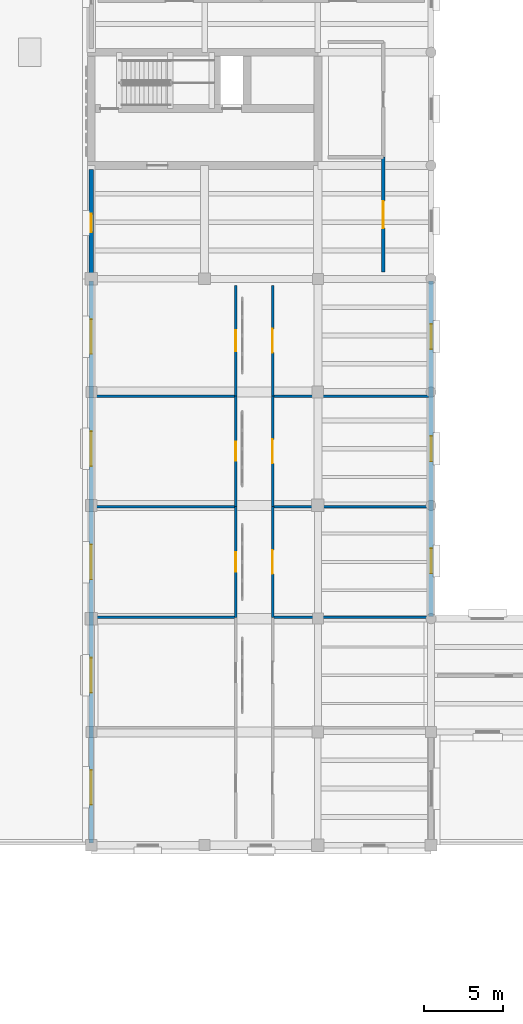
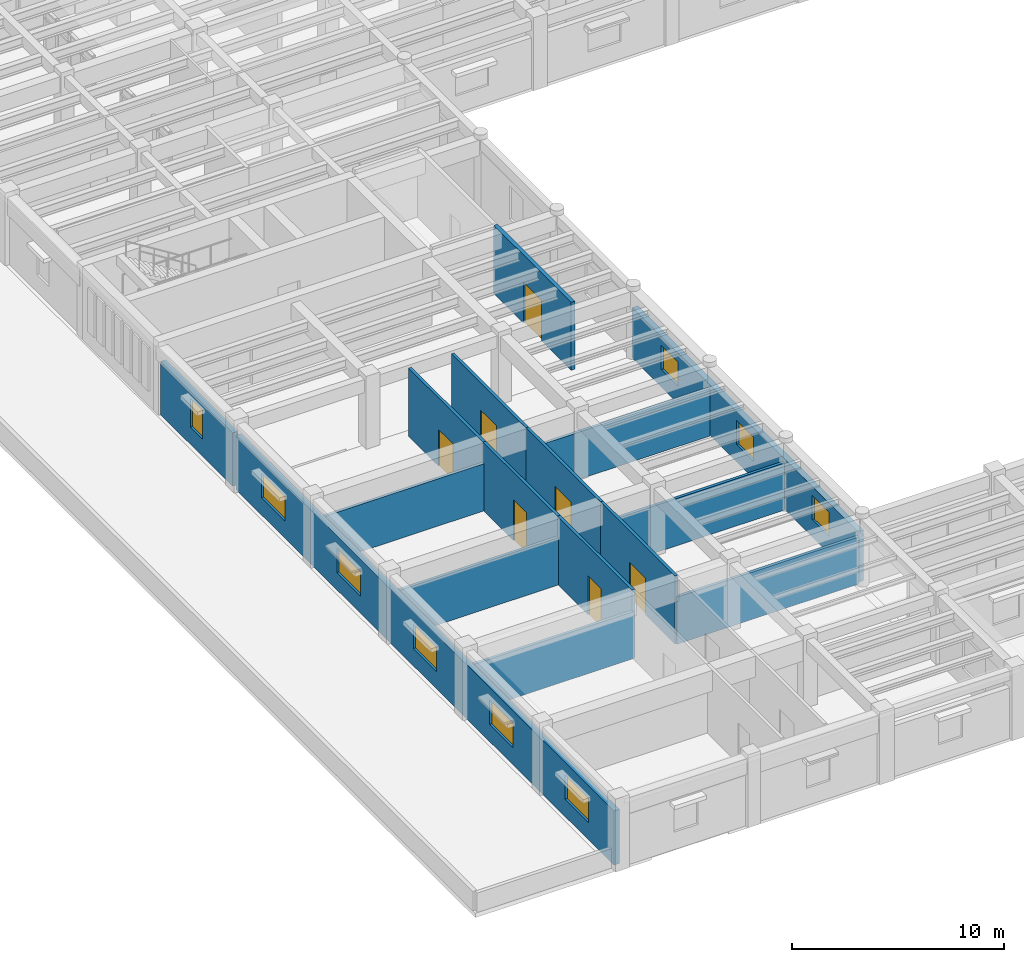
# One storey, part 49 of 76: 16 walls, 9 windows, 7 doors, 16 openings.
"""IFC4 building model written with IfcOpenShell, lengths in metres."""

from ifc_helpers import new_model, si_unit, direction, frame, frame_2d, origin, place, context, subcontext, project, spatial, rectangle, extrude, material, layer, layer_set, type_object, element, fill, save


model = new_model("IFC4")

# Units and contexts
model_context = context("Model", 3, precision=1e-05, world=origin(), true_north=direction((0.0, 1.0)))
body_context = subcontext(model_context, "Body", "Model", "MODEL_VIEW")
ifc_project = project(units=[si_unit("LENGTHUNIT", "METRE"), si_unit("AREAUNIT", "SQUARE_METRE"), si_unit("VOLUMEUNIT", "CUBIC_METRE"), si_unit("PLANEANGLEUNIT", "RADIAN"), si_unit("MASSUNIT", "GRAM", prefix="KILO")], contexts=[model_context])

# Site, building, storey
site_placement = place(None, origin())
site = spatial("IfcSite", under=ifc_project, at=site_placement, CompositionType="ELEMENT")
building_placement = place(site_placement, origin())
building = spatial("IfcBuilding", under=site, at=building_placement, Name="Mithqara Police Headquarters", CompositionType="ELEMENT")
storey_placement = place(building_placement, frame((0.0, 0.0, 5.39990234375)))
storey = spatial("IfcBuildingStorey", under=building, at=storey_placement, Name="L01", CompositionType="ELEMENT", Elevation=5.39990234375)

# Wall, opening, window
ifc_material_1 = material(Name="Ochre masonry cavity wall, 35 MPa", Category="masonry")
ifc_layer_1 = layer(ifc_material_1, 0.300048828125, Name="Ochre masonry cavity wall, 35 MPa")
ifc_layer_set_1 = layer_set([ifc_layer_1], Name="Ochre masonry cavity wall, 35 MPa")
wall_type_1 = type_object("IfcWallType", Name="EXT WALL OCHRE BRICK300", PredefinedType="SOLIDWALL", material=ifc_layer_set_1)
wall_1_placement = place(storey_placement, frame((7.800048828125, 63.949951171875, 0.0), z_axis=(0.0, 0.0, 1.0), x_axis=(0.0, -1.0, 0.0)))
wall_1 = element("IfcWall", 1, at=wall_1_placement, inside=storey, type_object=wall_type_1, Name="L01 Exterior Wall 17.2", PredefinedType="SOLIDWALL", context=body_context, shape_type="SweptSolid", body=[
    extrude(rectangle(XDim=6.800048828125, YDim=0.300048828125, at=frame_2d((3.39990234375, 0.0))), origin(), (0.0, 0.0, 1.0), 3.070068359375),
])
opening_1_placement = place(wall_1_placement, frame((2.824951171875, 0.0, 1.0)))
opening_1 = element("IfcOpeningElement", 2, at=opening_1_placement, cuts=wall_1, Name="Opening W-12", PredefinedType="OPENING", context=body_context, shape_type="SweptSolid", body=[
    extrude(rectangle(XDim=1.14990234375, YDim=1.64990234375, at=frame_2d((0.574951171875, 0.824951171875))), frame((0.0, 0.16015625, 0.0), z_axis=(0.0, -1.0, 0.0), x_axis=(1.0, 0.0, 0.0)), (0.0, 0.0, 1.0), 0.320068359375),
])
ifc_material_2 = material(Name="Spectrally selective double low-e glass", Category="glass")
window_type_1 = type_object("IfcWindowType", Name="WINDOW 1150X1650", PartitioningType="SINGLE_PANEL", PredefinedType="WINDOW", material=ifc_material_2)
window_1_placement = place(opening_1_placement, origin())
window_1 = element("IfcWindow", 3, at=window_1_placement, inside=storey, type_object=window_type_1, Name="L01 Deep-Set Punched Window 17.1", OverallHeight=1.64990234375, OverallWidth=1.14990234375, PartitioningType="SINGLE_PANEL", PredefinedType="WINDOW", context=body_context, shape_type="SweptSolid", body=[
    extrude(rectangle(XDim=1.14990234375, YDim=1.64990234375, at=frame_2d((0.574951171875, 0.824951171875))), frame((0.0, 0.030029296875, 0.0), z_axis=(0.0, -1.0, 0.0), x_axis=(1.0, 0.0, 0.0)), (0.0, 0.0, 1.0), 0.06005859375),
])
fill(opening_1, window_1)

# Wall, openings, windows
wall_2_placement = place(storey_placement, frame((7.800048828125, 56.85009765625, 0.0), z_axis=(0.0, 0.0, 1.0), x_axis=(0.0, -1.0, 0.0)))
wall_2 = element("IfcWall", 4, at=wall_2_placement, inside=storey, type_object=wall_type_1, Name="L01 Exterior Wall 18.1", PredefinedType="SOLIDWALL", context=body_context, shape_type="SweptSolid", body=[
    extrude(rectangle(XDim=35.7001953125, YDim=0.300048828125, at=frame_2d((17.85009765625, 0.0))), origin(), (0.0, 0.0, 1.0), 3.1201171875),
])
opening_2_placement = place(wall_2_placement, frame((31.074951171875, 0.0, 1.0)))
opening_2 = element("IfcOpeningElement", 5, at=opening_2_placement, cuts=wall_2, Name="Opening W-41", PredefinedType="OPENING", context=body_context, shape_type="SweptSolid", body=[
    extrude(rectangle(XDim=2.199951171875, YDim=1.39990234375, at=frame_2d((1.10009765625, 0.699951171875))), frame((0.0, 0.16015625, 0.0), z_axis=(0.0, -1.0, 0.0), x_axis=(1.0, 0.0, 0.0)), (0.0, 0.0, 1.0), 0.320068359375),
])
opening_3_placement = place(wall_2_placement, frame((23.949951171875, 0.0, 1.0)))
opening_3 = element("IfcOpeningElement", 6, at=opening_3_placement, cuts=wall_2, Name="Opening W-41", PredefinedType="OPENING", context=body_context, shape_type="SweptSolid", body=[
    extrude(rectangle(XDim=2.199951171875, YDim=1.39990234375, at=frame_2d((1.10009765625, 0.699951171875))), frame((0.0, 0.16015625, 0.0), z_axis=(0.0, -1.0, 0.0), x_axis=(1.0, 0.0, 0.0)), (0.0, 0.0, 1.0), 0.320068359375),
])
opening_4_placement = place(wall_2_placement, frame((16.75, 0.0, 1.0)))
opening_4 = element("IfcOpeningElement", 7, at=opening_4_placement, cuts=wall_2, Name="Opening W-41", PredefinedType="OPENING", context=body_context, shape_type="SweptSolid", body=[
    extrude(rectangle(XDim=2.199951171875, YDim=1.39990234375, at=frame_2d((1.10009765625, 0.699951171875))), frame((0.0, 0.16015625, 0.0), z_axis=(0.0, -1.0, 0.0), x_axis=(1.0, 0.0, 0.0)), (0.0, 0.0, 1.0), 0.320068359375),
])
opening_5_placement = place(wall_2_placement, frame((9.550048828125, 0.0, 1.0)))
opening_5 = element("IfcOpeningElement", 8, at=opening_5_placement, cuts=wall_2, Name="Opening W-41", PredefinedType="OPENING", context=body_context, shape_type="SweptSolid", body=[
    extrude(rectangle(XDim=2.199951171875, YDim=1.39990234375, at=frame_2d((1.10009765625, 0.699951171875))), frame((0.0, 0.16015625, 0.0), z_axis=(0.0, -1.0, 0.0), x_axis=(1.0, 0.0, 0.0)), (0.0, 0.0, 1.0), 0.320068359375),
])
opening_6_placement = place(wall_2_placement, frame((2.425048828125, 0.0, 1.0)))
opening_6 = element("IfcOpeningElement", 9, at=opening_6_placement, cuts=wall_2, Name="Opening W-41", PredefinedType="OPENING", context=body_context, shape_type="SweptSolid", body=[
    extrude(rectangle(XDim=2.199951171875, YDim=1.39990234375, at=frame_2d((1.10009765625, 0.699951171875))), frame((0.0, 0.16015625, 0.0), z_axis=(0.0, -1.0, 0.0), x_axis=(1.0, 0.0, 0.0)), (0.0, 0.0, 1.0), 0.320068359375),
])
window_type_2 = type_object("IfcWindowType", Name="WINDOW 2200X1400", PartitioningType="DOUBLE_PANEL_VERTICAL", PredefinedType="WINDOW", material=ifc_material_2)
window_2_placement = place(opening_2_placement, origin())
window_2 = element("IfcWindow", 10, at=window_2_placement, inside=storey, type_object=window_type_2, Name="L01 Deep-Set Punched Window 18.1", OverallHeight=1.39990234375, OverallWidth=2.199951171875, PartitioningType="SINGLE_PANEL", PredefinedType="WINDOW", context=body_context, shape_type="SweptSolid", body=[
    extrude(rectangle(XDim=2.199951171875, YDim=1.39990234375, at=frame_2d((1.10009765625, 0.699951171875))), frame((0.0, 0.030029296875, 0.0), z_axis=(0.0, -1.0, 0.0), x_axis=(1.0, 0.0, 0.0)), (0.0, 0.0, 1.0), 0.06005859375),
])
fill(opening_2, window_2)
window_3_placement = place(opening_3_placement, origin())
window_3 = element("IfcWindow", 11, at=window_3_placement, inside=storey, type_object=window_type_2, Name="L01 Deep-Set Punched Window 18.2", OverallHeight=1.39990234375, OverallWidth=2.199951171875, PartitioningType="SINGLE_PANEL", PredefinedType="WINDOW", context=body_context, shape_type="SweptSolid", body=[
    extrude(rectangle(XDim=2.199951171875, YDim=1.39990234375, at=frame_2d((1.10009765625, 0.699951171875))), frame((0.0, 0.030029296875, 0.0), z_axis=(0.0, -1.0, 0.0), x_axis=(1.0, 0.0, 0.0)), (0.0, 0.0, 1.0), 0.06005859375),
])
fill(opening_3, window_3)
window_4_placement = place(opening_4_placement, origin())
window_4 = element("IfcWindow", 12, at=window_4_placement, inside=storey, type_object=window_type_2, Name="L01 Deep-Set Punched Window 18.3", OverallHeight=1.39990234375, OverallWidth=2.199951171875, PartitioningType="SINGLE_PANEL", PredefinedType="WINDOW", context=body_context, shape_type="SweptSolid", body=[
    extrude(rectangle(XDim=2.199951171875, YDim=1.39990234375, at=frame_2d((1.10009765625, 0.699951171875))), frame((0.0, 0.030029296875, 0.0), z_axis=(0.0, -1.0, 0.0), x_axis=(1.0, 0.0, 0.0)), (0.0, 0.0, 1.0), 0.06005859375),
])
fill(opening_4, window_4)
window_5_placement = place(opening_5_placement, origin())
window_5 = element("IfcWindow", 13, at=window_5_placement, inside=storey, type_object=window_type_2, Name="L01 Deep-Set Punched Window 18.4", OverallHeight=1.39990234375, OverallWidth=2.199951171875, PartitioningType="SINGLE_PANEL", PredefinedType="WINDOW", context=body_context, shape_type="SweptSolid", body=[
    extrude(rectangle(XDim=2.199951171875, YDim=1.39990234375, at=frame_2d((1.10009765625, 0.699951171875))), frame((0.0, 0.030029296875, 0.0), z_axis=(0.0, -1.0, 0.0), x_axis=(1.0, 0.0, 0.0)), (0.0, 0.0, 1.0), 0.06005859375),
])
fill(opening_5, window_5)
window_6_placement = place(opening_6_placement, origin())
window_6 = element("IfcWindow", 14, at=window_6_placement, inside=storey, type_object=window_type_2, Name="L01 Deep-Set Punched Window 18.5", OverallHeight=1.39990234375, OverallWidth=2.199951171875, PartitioningType="SINGLE_PANEL", PredefinedType="WINDOW", context=body_context, shape_type="SweptSolid", body=[
    extrude(rectangle(XDim=2.199951171875, YDim=1.39990234375, at=frame_2d((1.10009765625, 0.699951171875))), frame((0.0, 0.030029296875, 0.0), z_axis=(0.0, -1.0, 0.0), x_axis=(1.0, 0.0, 0.0)), (0.0, 0.0, 1.0), 0.06005859375),
])
fill(opening_6, window_6)

wall_3_placement = place(storey_placement, frame((29.39990234375, 35.550048828125, 0.0), z_axis=(0.0, 0.0, 1.0), x_axis=(0.0, 1.0, 0.0)))
wall_3 = element("IfcWall", 15, at=wall_3_placement, inside=storey, type_object=wall_type_1, Name="L01 Exterior Wall 1.1", PredefinedType="SOLIDWALL", context=body_context, shape_type="SweptSolid", body=[
    extrude(rectangle(XDim=21.300048828125, YDim=0.300048828125, at=frame_2d((10.64990234375, 0.0))), origin(), (0.0, 0.0, 1.0), 2.920166015625),
])
opening_7_placement = place(wall_3_placement, frame((2.72509765625, 0.0, 1.0)))
opening_7 = element("IfcOpeningElement", 16, at=opening_7_placement, cuts=wall_3, Name="Opening W-26", PredefinedType="OPENING", context=body_context, shape_type="SweptSolid", body=[
    extrude(rectangle(XDim=1.60009765625, YDim=1.39990234375, at=frame_2d((0.800048828125, 0.699951171875))), frame((0.0, 0.16015625, 0.0), z_axis=(0.0, -1.0, 0.0), x_axis=(1.0, 0.0, 0.0)), (0.0, 0.0, 1.0), 0.320068359375),
])
opening_8_placement = place(wall_3_placement, frame((9.85009765625, 0.0, 1.0)))
opening_8 = element("IfcOpeningElement", 17, at=opening_8_placement, cuts=wall_3, Name="Opening W-26", PredefinedType="OPENING", context=body_context, shape_type="SweptSolid", body=[
    extrude(rectangle(XDim=1.60009765625, YDim=1.39990234375, at=frame_2d((0.800048828125, 0.699951171875))), frame((0.0, 0.16015625, 0.0), z_axis=(0.0, -1.0, 0.0), x_axis=(1.0, 0.0, 0.0)), (0.0, 0.0, 1.0), 0.320068359375),
])
opening_9_placement = place(wall_3_placement, frame((16.97509765625, 0.0, 1.0)))
opening_9 = element("IfcOpeningElement", 18, at=opening_9_placement, cuts=wall_3, Name="Opening W-26", PredefinedType="OPENING", context=body_context, shape_type="SweptSolid", body=[
    extrude(rectangle(XDim=1.60009765625, YDim=1.39990234375, at=frame_2d((0.800048828125, 0.699951171875))), frame((0.0, 0.16015625, 0.0), z_axis=(0.0, -1.0, 0.0), x_axis=(1.0, 0.0, 0.0)), (0.0, 0.0, 1.0), 0.320068359375),
])
window_type_3 = type_object("IfcWindowType", Name="WINDOW 1600X1400", PartitioningType="SINGLE_PANEL", PredefinedType="WINDOW", material=ifc_material_2)
window_7_placement = place(opening_7_placement, origin())
window_7 = element("IfcWindow", 19, at=window_7_placement, inside=storey, type_object=window_type_3, Name="L01 Deep-Set Punched Window 1.1", OverallHeight=1.39990234375, OverallWidth=1.60009765625, PartitioningType="SINGLE_PANEL", PredefinedType="WINDOW", context=body_context, shape_type="SweptSolid", body=[
    extrude(rectangle(XDim=1.60009765625, YDim=1.39990234375, at=frame_2d((0.800048828125, 0.699951171875))), frame((0.0, 0.030029296875, 0.0), z_axis=(0.0, -1.0, 0.0), x_axis=(1.0, 0.0, 0.0)), (0.0, 0.0, 1.0), 0.06005859375),
])
fill(opening_7, window_7)
window_8_placement = place(opening_8_placement, origin())
window_8 = element("IfcWindow", 20, at=window_8_placement, inside=storey, type_object=window_type_3, Name="L01 Deep-Set Punched Window 1.2", OverallHeight=1.39990234375, OverallWidth=1.60009765625, PartitioningType="SINGLE_PANEL", PredefinedType="WINDOW", context=body_context, shape_type="SweptSolid", body=[
    extrude(rectangle(XDim=1.60009765625, YDim=1.39990234375, at=frame_2d((0.800048828125, 0.699951171875))), frame((0.0, 0.030029296875, 0.0), z_axis=(0.0, -1.0, 0.0), x_axis=(1.0, 0.0, 0.0)), (0.0, 0.0, 1.0), 0.06005859375),
])
fill(opening_8, window_8)
window_9_placement = place(opening_9_placement, origin())
window_9 = element("IfcWindow", 21, at=window_9_placement, inside=storey, type_object=window_type_3, Name="L01 Deep-Set Punched Window 1.3", OverallHeight=1.39990234375, OverallWidth=1.60009765625, PartitioningType="SINGLE_PANEL", PredefinedType="WINDOW", context=body_context, shape_type="SweptSolid", body=[
    extrude(rectangle(XDim=1.60009765625, YDim=1.39990234375, at=frame_2d((0.800048828125, 0.699951171875))), frame((0.0, 0.030029296875, 0.0), z_axis=(0.0, -1.0, 0.0), x_axis=(1.0, 0.0, 0.0)), (0.0, 0.0, 1.0), 0.06005859375),
])
fill(opening_9, window_9)

# Wall
ifc_material_3 = material(Name="Gypsum acoustic stud partition", Category="gypsum")
ifc_layer_2 = layer(ifc_material_3, 0.159912109375, Name="Gypsum acoustic stud partition")
ifc_layer_set_2 = layer_set([ifc_layer_2], Name="Gypsum acoustic stud partition")
wall_type_2 = type_object("IfcWallType", Name="PART WALL 160", PredefinedType="PARTITIONING", material=ifc_layer_set_2)
wall_4_placement = place(storey_placement, frame((7.97998046875, 35.48388671875, 0.0), z_axis=(0.0, 0.0, 1.0), x_axis=(1.0, 0.0, 0.0)))
element("IfcWall", 22, at=wall_4_placement, inside=storey, type_object=wall_type_2, Name="L01 Room Partition Tactical De-Escalation Room", PredefinedType="PARTITIONING", context=body_context, shape_type="SweptSolid", body=[
    extrude(rectangle(XDim=9.0, YDim=0.159912109375, at=frame_2d((4.5, 0.0))), origin(), (0.0, 0.0, 1.0), 2.72021484375),
])

# Wall, opening, door
wall_5_placement = place(storey_placement, frame((16.97998046875, 35.48388671875, 0.0), z_axis=(0.0, 0.0, 1.0), x_axis=(0.0, 1.0, 0.0)))
wall_5 = element("IfcWall", 23, at=wall_5_placement, inside=storey, type_object=wall_type_2, Name="L01 Corridor Wall Wellness Recovery Suite", PredefinedType="PARTITIONING", context=body_context, shape_type="SweptSolid", body=[
    extrude(rectangle(XDim=7.0322265625, YDim=0.159912109375, at=frame_2d((3.51611328125, 0.0))), origin(), (0.0, 0.0, 1.0), 3.920166015625),
])
opening_10_placement = place(wall_5_placement, frame((2.906005859375, 0.0, 0.0)))
opening_10 = element("IfcOpeningElement", 24, at=opening_10_placement, cuts=wall_5, Name="Opening D-14", PredefinedType="OPENING", context=body_context, shape_type="SweptSolid", body=[
    extrude(rectangle(XDim=1.219970703125, YDim=2.219970703125, at=frame_2d((0.60986328125, 1.10986328125))), frame((0.0, 0.08984375, 0.0), z_axis=(0.0, -1.0, 0.0), x_axis=(1.0, 0.0, 0.0)), (0.0, 0.0, 1.0), 0.179931640625),
])
ifc_material_4 = material(Name="Acoustic solid-core timber leaf", Category="wood")
door_type_1 = type_object("IfcDoorType", Name="INT DOOR 1220X2220", OperationType="NOTDEFINED", PredefinedType="DOOR", material=ifc_material_4)
door_1_placement = place(opening_10_placement, frame((1.219970703125, 0.0, 0.0), z_axis=(0.0, 0.0, 1.0), x_axis=(-1.0, 0.0, 0.0)))
door_1 = element("IfcDoor", 25, at=door_1_placement, inside=storey, type_object=door_type_1, Name="Wellness Recovery Suite Entry Door", OperationType="SINGLE_SWING_LEFT", OverallHeight=2.219970703125, OverallWidth=1.219970703125, PredefinedType="DOOR", context=body_context, shape_type="SweptSolid", body=[
    extrude(rectangle(XDim=1.219970703125, YDim=2.219970703125, at=frame_2d((0.60986328125, 1.10986328125))), frame((0.0, 0.02490234375, 0.0), z_axis=(0.0, -1.0, 0.0), x_axis=(1.0, 0.0, 0.0)), (0.0, 0.0, 1.0), 0.050048828125),
])
fill(opening_10, door_1)

# Wall
wall_6_placement = place(storey_placement, frame((7.97998046875, 42.51611328125, 0.0), z_axis=(0.0, 0.0, 1.0), x_axis=(1.0, 0.0, 0.0)))
element("IfcWall", 26, at=wall_6_placement, inside=storey, type_object=wall_type_2, Name="L01 Room Partition Wellness Recovery Suite", PredefinedType="PARTITIONING", context=body_context, shape_type="SweptSolid", body=[
    extrude(rectangle(XDim=9.0, YDim=0.159912109375, at=frame_2d((4.5, 0.0))), origin(), (0.0, 0.0, 1.0), 2.72021484375),
])

# Wall, opening, door
wall_7_placement = place(storey_placement, frame((16.97998046875, 42.51611328125, 0.0), z_axis=(0.0, 0.0, 1.0), x_axis=(0.0, 1.0, 0.0)))
wall_7 = element("IfcWall", 27, at=wall_7_placement, inside=storey, type_object=wall_type_2, Name="L01 Corridor Wall Officer Duty Rest Room", PredefinedType="PARTITIONING", context=body_context, shape_type="SweptSolid", body=[
    extrude(rectangle(XDim=7.031982421875, YDim=0.159912109375, at=frame_2d((3.51611328125, 0.0))), origin(), (0.0, 0.0, 1.0), 3.920166015625),
])
opening_11_placement = place(wall_7_placement, frame((2.906005859375, 0.0, 0.0)))
opening_11 = element("IfcOpeningElement", 28, at=opening_11_placement, cuts=wall_7, Name="Opening D-15", PredefinedType="OPENING", context=body_context, shape_type="SweptSolid", body=[
    extrude(rectangle(XDim=1.219970703125, YDim=2.35009765625, at=frame_2d((0.60986328125, 1.175048828125))), frame((0.0, 0.08984375, 0.0), z_axis=(0.0, -1.0, 0.0), x_axis=(1.0, 0.0, 0.0)), (0.0, 0.0, 1.0), 0.179931640625),
])
door_type_2 = type_object("IfcDoorType", Name="INT DOOR 1220X2350", OperationType="NOTDEFINED", PredefinedType="DOOR", material=ifc_material_4)
door_2_placement = place(opening_11_placement, frame((1.219970703125, 0.0, 0.0), z_axis=(0.0, 0.0, 1.0), x_axis=(-1.0, 0.0, 0.0)))
door_2 = element("IfcDoor", 29, at=door_2_placement, inside=storey, type_object=door_type_2, Name="Officer Duty Rest Room Entry Door", OperationType="SINGLE_SWING_RIGHT", OverallHeight=2.35009765625, OverallWidth=1.219970703125, PredefinedType="DOOR", context=body_context, shape_type="SweptSolid", body=[
    extrude(rectangle(XDim=1.219970703125, YDim=2.35009765625, at=frame_2d((0.60986328125, 1.175048828125))), frame((0.0, 0.02490234375, 0.0), z_axis=(0.0, -1.0, 0.0), x_axis=(1.0, 0.0, 0.0)), (0.0, 0.0, 1.0), 0.050048828125),
])
fill(opening_11, door_2)

# Wall
wall_8_placement = place(storey_placement, frame((7.97998046875, 49.548095703125, 0.0), z_axis=(0.0, 0.0, 1.0), x_axis=(1.0, 0.0, 0.0)))
element("IfcWall", 30, at=wall_8_placement, inside=storey, type_object=wall_type_2, Name="L01 Room Partition Officer Duty Rest Room", PredefinedType="PARTITIONING", context=body_context, shape_type="SweptSolid", body=[
    extrude(rectangle(XDim=9.0, YDim=0.159912109375, at=frame_2d((4.5, 0.0))), origin(), (0.0, 0.0, 1.0), 2.72021484375),
])

# Wall, opening, door
wall_9_placement = place(storey_placement, frame((16.97998046875, 49.548095703125, 0.0), z_axis=(0.0, 0.0, 1.0), x_axis=(0.0, 1.0, 0.0)))
wall_9 = element("IfcWall", 31, at=wall_9_placement, inside=storey, type_object=wall_type_2, Name="L01 Corridor Wall Tactical De-Escalation Room", PredefinedType="PARTITIONING", context=body_context, shape_type="SweptSolid", body=[
    extrude(rectangle(XDim=7.031982421875, YDim=0.159912109375, at=frame_2d((3.51611328125, 0.0))), origin(), (0.0, 0.0, 1.0), 3.920166015625),
])
opening_12_placement = place(wall_9_placement, frame((2.8359375, 0.0, 0.0)))
opening_12 = element("IfcOpeningElement", 32, at=opening_12_placement, cuts=wall_9, Name="Opening D-16", PredefinedType="OPENING", context=body_context, shape_type="SweptSolid", body=[
    extrude(rectangle(XDim=1.360107421875, YDim=2.10009765625, at=frame_2d((0.68017578125, 1.050048828125))), frame((0.0, 0.08984375, 0.0), z_axis=(0.0, -1.0, 0.0), x_axis=(1.0, 0.0, 0.0)), (0.0, 0.0, 1.0), 0.179931640625),
])
ifc_material_5 = material(Name="Bronze anodised aluminium 6063-T6", Category="aluminium")
door_type_3 = type_object("IfcDoorType", Name="INT DOOR 1360X2100", OperationType="NOTDEFINED", PredefinedType="DOOR", material=ifc_material_5)
door_3_placement = place(opening_12_placement, frame((1.360107421875, 0.0, 0.0), z_axis=(0.0, 0.0, 1.0), x_axis=(-1.0, 0.0, 0.0)))
door_3 = element("IfcDoor", 33, at=door_3_placement, inside=storey, type_object=door_type_3, Name="Tactical De-Escalation Room Entry Door", OperationType="SINGLE_SWING_LEFT", OverallHeight=2.10009765625, OverallWidth=1.360107421875, PredefinedType="DOOR", context=body_context, shape_type="SweptSolid", body=[
    extrude(rectangle(XDim=1.360107421875, YDim=2.10009765625, at=frame_2d((0.68017578125, 1.050048828125))), frame((0.0, 0.02490234375, 0.0), z_axis=(0.0, -1.0, 0.0), x_axis=(1.0, 0.0, 0.0)), (0.0, 0.0, 1.0), 0.050048828125),
])
fill(opening_12, door_3)

# Wall
wall_10_placement = place(storey_placement, frame((19.320068359375, 35.48388671875, 0.0), z_axis=(0.0, 0.0, 1.0), x_axis=(1.0, 0.0, 0.0)))
element("IfcWall", 34, at=wall_10_placement, inside=storey, type_object=wall_type_2, Name="L01 Room Partition Officer Duty Rest Room", PredefinedType="PARTITIONING", context=body_context, shape_type="SweptSolid", body=[
    extrude(rectangle(XDim=9.89990234375, YDim=0.159912109375, at=frame_2d((4.949951171875, 0.0))), origin(), (0.0, 0.0, 1.0), 2.72021484375),
])

# Wall, opening, door
wall_11_placement = place(storey_placement, frame((19.320068359375, 35.48388671875, 0.0), z_axis=(0.0, 0.0, 1.0), x_axis=(0.0, 1.0, 0.0)))
wall_11 = element("IfcWall", 35, at=wall_11_placement, inside=storey, type_object=wall_type_2, Name="L01 Corridor Wall Tactical De-Escalation Room", PredefinedType="PARTITIONING", context=body_context, shape_type="SweptSolid", body=[
    extrude(rectangle(XDim=7.0322265625, YDim=0.159912109375, at=frame_2d((3.51611328125, 0.0))), origin(), (0.0, 0.0, 1.0), 3.920166015625),
])
opening_13_placement = place(wall_11_placement, frame((2.756103515625, 0.0, 0.0)))
opening_13 = element("IfcOpeningElement", 36, at=opening_13_placement, cuts=wall_11, Name="Opening D-19", PredefinedType="OPENING", context=body_context, shape_type="SweptSolid", body=[
    extrude(rectangle(XDim=1.52001953125, YDim=2.10009765625, at=frame_2d((0.760009765625, 1.050048828125))), frame((0.0, 0.08984375, 0.0), z_axis=(0.0, -1.0, 0.0), x_axis=(1.0, 0.0, 0.0)), (0.0, 0.0, 1.0), 0.179931640625),
])
door_type_4 = type_object("IfcDoorType", Name="INT DOOR 1520X2100", OperationType="NOTDEFINED", PredefinedType="DOOR", material=ifc_material_5)
door_4_placement = place(opening_13_placement, origin())
door_4 = element("IfcDoor", 37, at=door_4_placement, inside=storey, type_object=door_type_4, Name="Tactical De-Escalation Room Entry Door", OperationType="DOUBLE_DOOR_SINGLE_SWING", OverallHeight=2.10009765625, OverallWidth=1.52001953125, PredefinedType="DOOR", context=body_context, shape_type="SweptSolid", body=[
    extrude(rectangle(XDim=1.52001953125, YDim=2.10009765625, at=frame_2d((0.760009765625, 1.050048828125))), frame((0.0, 0.02490234375, 0.0), z_axis=(0.0, -1.0, 0.0), x_axis=(1.0, 0.0, 0.0)), (0.0, 0.0, 1.0), 0.050048828125),
])
fill(opening_13, door_4)

# Wall
wall_12_placement = place(storey_placement, frame((19.320068359375, 42.51611328125, 0.0), z_axis=(0.0, 0.0, 1.0), x_axis=(1.0, 0.0, 0.0)))
element("IfcWall", 38, at=wall_12_placement, inside=storey, type_object=wall_type_2, Name="L01 Room Partition Tactical De-Escalation Room", PredefinedType="PARTITIONING", context=body_context, shape_type="SweptSolid", body=[
    extrude(rectangle(XDim=9.89990234375, YDim=0.159912109375, at=frame_2d((4.949951171875, 0.0))), origin(), (0.0, 0.0, 1.0), 2.72021484375),
])

# Wall, opening, door
wall_13_placement = place(storey_placement, frame((19.320068359375, 42.51611328125, 0.0), z_axis=(0.0, 0.0, 1.0), x_axis=(0.0, 1.0, 0.0)))
wall_13 = element("IfcWall", 39, at=wall_13_placement, inside=storey, type_object=wall_type_2, Name="L01 Corridor Wall Wellness Recovery Suite", PredefinedType="PARTITIONING", context=body_context, shape_type="SweptSolid", body=[
    extrude(rectangle(XDim=7.031982421875, YDim=0.159912109375, at=frame_2d((3.51611328125, 0.0))), origin(), (0.0, 0.0, 1.0), 3.920166015625),
])
opening_14_placement = place(wall_13_placement, frame((2.756103515625, 0.0, 0.0)))
opening_14 = element("IfcOpeningElement", 40, at=opening_14_placement, cuts=wall_13, Name="Opening D-20", PredefinedType="OPENING", context=body_context, shape_type="SweptSolid", body=[
    extrude(rectangle(XDim=1.52001953125, YDim=2.219970703125, at=frame_2d((0.760009765625, 1.10986328125))), frame((0.0, 0.08984375, 0.0), z_axis=(0.0, -1.0, 0.0), x_axis=(1.0, 0.0, 0.0)), (0.0, 0.0, 1.0), 0.179931640625),
])
door_type_5 = type_object("IfcDoorType", Name="INT DOOR 1520X2220", OperationType="NOTDEFINED", PredefinedType="DOOR", material=ifc_material_5)
door_5_placement = place(opening_14_placement, origin())
door_5 = element("IfcDoor", 41, at=door_5_placement, inside=storey, type_object=door_type_5, Name="Wellness Recovery Suite Entry Door", OperationType="DOUBLE_DOOR_SINGLE_SWING", OverallHeight=2.219970703125, OverallWidth=1.52001953125, PredefinedType="DOOR", context=body_context, shape_type="SweptSolid", body=[
    extrude(rectangle(XDim=1.52001953125, YDim=2.219970703125, at=frame_2d((0.760009765625, 1.10986328125))), frame((0.0, 0.02490234375, 0.0), z_axis=(0.0, -1.0, 0.0), x_axis=(1.0, 0.0, 0.0)), (0.0, 0.0, 1.0), 0.050048828125),
])
fill(opening_14, door_5)

# Wall
wall_14_placement = place(storey_placement, frame((19.320068359375, 49.548095703125, 0.0), z_axis=(0.0, 0.0, 1.0), x_axis=(1.0, 0.0, 0.0)))
element("IfcWall", 42, at=wall_14_placement, inside=storey, type_object=wall_type_2, Name="L01 Room Partition Wellness Recovery Suite", PredefinedType="PARTITIONING", context=body_context, shape_type="SweptSolid", body=[
    extrude(rectangle(XDim=9.89990234375, YDim=0.159912109375, at=frame_2d((4.949951171875, 0.0))), origin(), (0.0, 0.0, 1.0), 2.72021484375),
])

# Wall, opening, door
wall_15_placement = place(storey_placement, frame((19.320068359375, 49.548095703125, 0.0), z_axis=(0.0, 0.0, 1.0), x_axis=(0.0, 1.0, 0.0)))
wall_15 = element("IfcWall", 43, at=wall_15_placement, inside=storey, type_object=wall_type_2, Name="L01 Corridor Wall Officer Duty Rest Room", PredefinedType="PARTITIONING", context=body_context, shape_type="SweptSolid", body=[
    extrude(rectangle(XDim=7.031982421875, YDim=0.159912109375, at=frame_2d((3.51611328125, 0.0))), origin(), (0.0, 0.0, 1.0), 3.920166015625),
])
opening_15_placement = place(wall_15_placement, frame((2.756103515625, 0.0, 0.0)))
opening_15 = element("IfcOpeningElement", 44, at=opening_15_placement, cuts=wall_15, Name="Opening D-21", PredefinedType="OPENING", context=body_context, shape_type="SweptSolid", body=[
    extrude(rectangle(XDim=1.52001953125, YDim=2.35009765625, at=frame_2d((0.760009765625, 1.175048828125))), frame((0.0, 0.08984375, 0.0), z_axis=(0.0, -1.0, 0.0), x_axis=(1.0, 0.0, 0.0)), (0.0, 0.0, 1.0), 0.179931640625),
])
door_type_6 = type_object("IfcDoorType", Name="INT DOOR 1520X2350", OperationType="NOTDEFINED", PredefinedType="DOOR", material=ifc_material_5)
door_6_placement = place(opening_15_placement, origin())
door_6 = element("IfcDoor", 45, at=door_6_placement, inside=storey, type_object=door_type_6, Name="Officer Duty Rest Room Entry Door", OperationType="DOUBLE_DOOR_SINGLE_SWING", OverallHeight=2.35009765625, OverallWidth=1.52001953125, PredefinedType="DOOR", context=body_context, shape_type="SweptSolid", body=[
    extrude(rectangle(XDim=1.52001953125, YDim=2.35009765625, at=frame_2d((0.760009765625, 1.175048828125))), frame((0.0, 0.02490234375, 0.0), z_axis=(0.0, -1.0, 0.0), x_axis=(1.0, 0.0, 0.0)), (0.0, 0.0, 1.0), 0.050048828125),
])
fill(opening_15, door_6)

ifc_material_6 = material(Name="Concrete C40/50", Category="concrete")
ifc_layer_3 = layer(ifc_material_6, 0.2099609375, Name="Concrete C40/50")
ifc_layer_set_3 = layer_set([ifc_layer_3], Name="Concrete C40/50")
wall_type_3 = type_object("IfcWallType", Name="PART WALL 210", PredefinedType="PARTITIONING", material=ifc_layer_set_3)
wall_16_placement = place(storey_placement, frame((26.360107421875, 57.419921875, 0.0), z_axis=(0.0, 0.0, 1.0), x_axis=(0.0, 1.0, 0.0)))
wall_16 = element("IfcWall", 46, at=wall_16_placement, inside=storey, type_object=wall_type_3, Name="L01 Corridor Wall Rapid Response Operations Room", PredefinedType="PARTITIONING", context=body_context, shape_type="SweptSolid", body=[
    extrude(rectangle(XDim=7.315185546875, YDim=0.2099609375, at=frame_2d((3.65771484375, 0.0))), origin(), (0.0, 0.0, 1.0), 3.920166015625),
])
opening_16_placement = place(wall_16_placement, frame((2.797607421875, 0.0, 0.0)))
opening_16 = element("IfcOpeningElement", 47, at=opening_16_placement, cuts=wall_16, Name="Opening D-24", PredefinedType="OPENING", context=body_context, shape_type="SweptSolid", body=[
    extrude(rectangle(XDim=1.719970703125, YDim=2.35009765625, at=frame_2d((0.85986328125, 1.175048828125))), frame((0.0, 0.114990234375, 0.0), z_axis=(0.0, -1.0, 0.0), x_axis=(1.0, 0.0, 0.0)), (0.0, 0.0, 1.0), 0.22998046875),
])
door_type_7 = type_object("IfcDoorType", Name="INT DOOR 1720X2350", OperationType="NOTDEFINED", PredefinedType="DOOR", material=ifc_material_5)
door_7_placement = place(opening_16_placement, frame((1.719970703125, 0.0, 0.0), z_axis=(0.0, 0.0, 1.0), x_axis=(-1.0, 0.0, 0.0)))
door_7 = element("IfcDoor", 48, at=door_7_placement, inside=storey, type_object=door_type_7, Name="Rapid Response Operations Room Entry Door", OperationType="DOUBLE_DOOR_SINGLE_SWING", OverallHeight=2.35009765625, OverallWidth=1.719970703125, PredefinedType="DOOR", context=body_context, shape_type="SweptSolid", body=[
    extrude(rectangle(XDim=1.719970703125, YDim=2.35009765625, at=frame_2d((0.85986328125, 1.175048828125))), frame((0.0, 0.02490234375, 0.0), z_axis=(0.0, -1.0, 0.0), x_axis=(1.0, 0.0, 0.0)), (0.0, 0.0, 1.0), 0.050048828125),
])
fill(opening_16, door_7)

save(model, "model.ifc")
